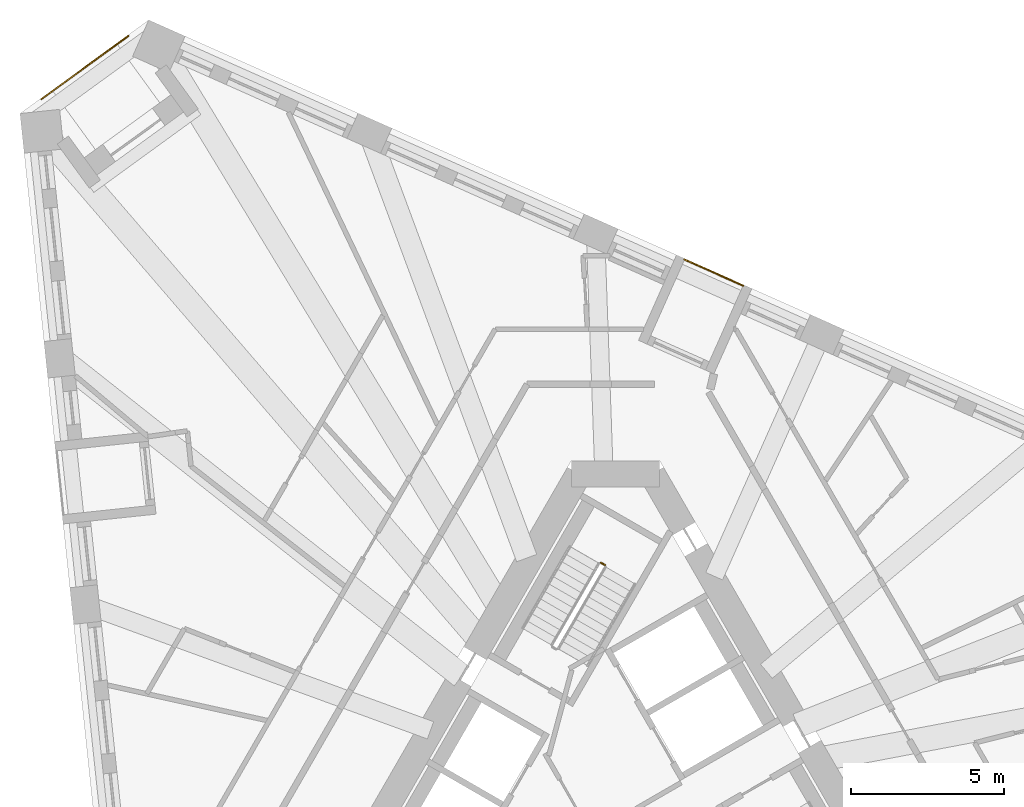
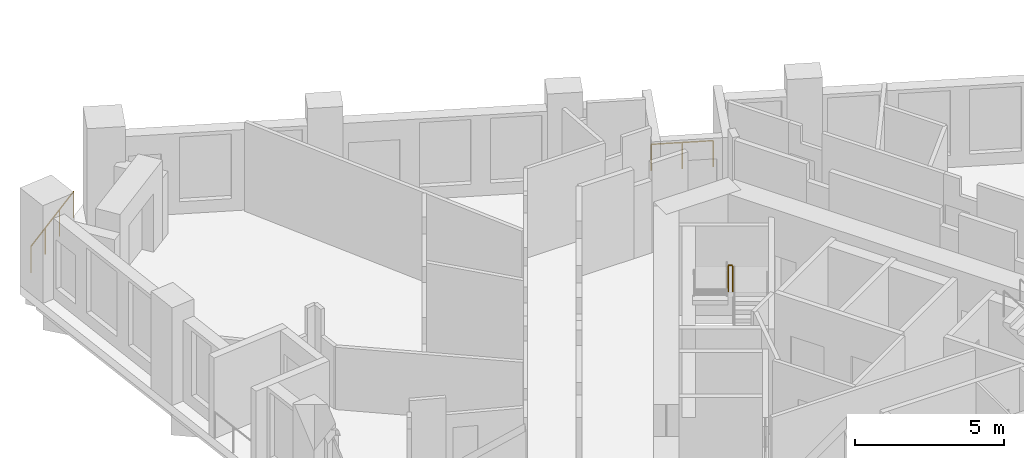
# One storey, part 13 of 14: 3 railings.
"""IFC4 building model written with IfcOpenShell, lengths in metres."""

from ifc_helpers import new_model, si_unit, direction, frame, origin, origin_2d, place, context, subcontext, project, spatial, circle, extrude, material, type_object, element, save


model = new_model("IFC4")

# Units and contexts
model_context = context("Model", 3, precision=1e-05, world=origin(), true_north=direction((0.0, 1.0)))
body_context = subcontext(model_context, "Body", "Model", "MODEL_VIEW")
ifc_project = project(units=[si_unit("LENGTHUNIT", "METRE"), si_unit("AREAUNIT", "SQUARE_METRE"), si_unit("VOLUMEUNIT", "CUBIC_METRE"), si_unit("PLANEANGLEUNIT", "RADIAN"), si_unit("MASSUNIT", "GRAM", prefix="KILO")], contexts=[model_context])

# Site, building, storey
site_placement = place(None, origin())
site = spatial("IfcSite", under=ifc_project, at=site_placement, CompositionType="ELEMENT")
building_placement = place(site_placement, origin())
building = spatial("IfcBuilding", under=site, at=building_placement, Name="Tramontana Tower", CompositionType="ELEMENT")
storey_placement = place(building_placement, frame((0.0, 0.0, 174.800048828125)))
storey = spatial("IfcBuildingStorey", under=building, at=storey_placement, Name="L40", CompositionType="ELEMENT", Elevation=174.800048828125)

# Railings
ifc_material_1 = material(Name="Laminated glass balustrade", Category="glass")
railing_type_1 = type_object("IfcRailingType", Name="GD1 Loggia glass balustrade 1100", PredefinedType="BALUSTRADE", material=ifc_material_1)
railing_1_placement = place(storey_placement, frame((4.1669921875, 16.720703125, 0.0)))
element("IfcRailing", 1, at=railing_1_placement, inside=storey, type_object=railing_type_1, Name="Loggia balustrade L40 G4S2.10", PredefinedType="BALUSTRADE", context=body_context, shape_type="SweptSolid", body=[
    extrude(circle(Radius=0.02392578125, at=origin_2d()), frame((0.0, 0.0, 1.076171875), z_axis=(-0.913556597974, 0.40671162056, 0.0), x_axis=(-0.40671162056, -0.913556597974, 0.0)), (0.0, 0.0, 1.0), 2.094482421875),
    extrude(circle(Radius=0.02099609375, at=origin_2d()), origin(), (0.0, 0.0, 1.0), 1.052001953125),
    extrude(circle(Radius=0.02099609375, at=origin_2d()), frame((-0.95654296875, 0.42578125, 0.0)), (0.0, 0.0, 1.0), 1.052001953125),
    extrude(circle(Radius=0.02099609375, at=origin_2d()), frame((-1.913330078125, 0.851806640625, 0.0)), (0.0, 0.0, 1.0), 1.052001953125),
])
railing_2_placement = place(storey_placement, frame((-18.73779296875, 22.81298828125, 0.0)))
element("IfcRailing", 2, at=railing_2_placement, inside=storey, type_object=railing_type_1, Name="Corner loggia balustrade L40 K40", PredefinedType="BALUSTRADE", context=body_context, shape_type="SweptSolid", body=[
    extrude(circle(Radius=0.02392578125, at=origin_2d()), frame((0.0, 0.0, 1.076171875), z_axis=(0.808998426921, 0.587810807352, 0.0), x_axis=(-0.587810807352, 0.808998426921, 0.0)), (0.0, 0.0, 1.0), 3.5),
    extrude(circle(Radius=0.02099609375, at=origin_2d()), origin(), (0.0, 0.0, 1.0), 1.052001953125),
    extrude(circle(Radius=0.02099609375, at=origin_2d()), frame((0.94384765625, 0.685791015625, 0.0)), (0.0, 0.0, 1.0), 1.052001953125),
    extrude(circle(Radius=0.02099609375, at=origin_2d()), frame((1.8876953125, 1.37158203125, 0.0)), (0.0, 0.0, 1.0), 1.052001953125),
    extrude(circle(Radius=0.02099609375, at=origin_2d()), frame((2.83154296875, 2.057373046875, 0.0)), (0.0, 0.0, 1.0), 1.052001953125),
])
ifc_material_2 = material(Name="Painted steel", Category="steel")
railing_type_2 = type_object("IfcRailingType", Name="STAIR GUARD 1100", PredefinedType="GUARDRAIL", material=ifc_material_2)
railing_3_placement = place(storey_placement, frame((-0.345703125, 7.601318359375, 2.0)))
element("IfcRailing", 3, at=railing_3_placement, inside=storey, type_object=railing_type_2, Name="L40 ST1 stair guard 3", PredefinedType="GUARDRAIL", context=body_context, shape_type="SweptSolid", body=[
    extrude(circle(Radius=0.02392578125, at=origin_2d()), frame((0.0, 0.0, 1.076171875), z_axis=(-0.866131372301, 0.499816412211, 0.0), x_axis=(-0.499816412211, -0.866131372301, 0.0)), (0.0, 0.0, 1.0), 0.14990234375),
    extrude(circle(Radius=0.02099609375, at=origin_2d()), origin(), (0.0, 0.0, 1.0), 1.052001953125),
    extrude(circle(Radius=0.02099609375, at=origin_2d()), frame((-0.1298828125, 0.074951171875, 0.0)), (0.0, 0.0, 1.0), 1.052001953125),
])

save(model, "model.ifc")
